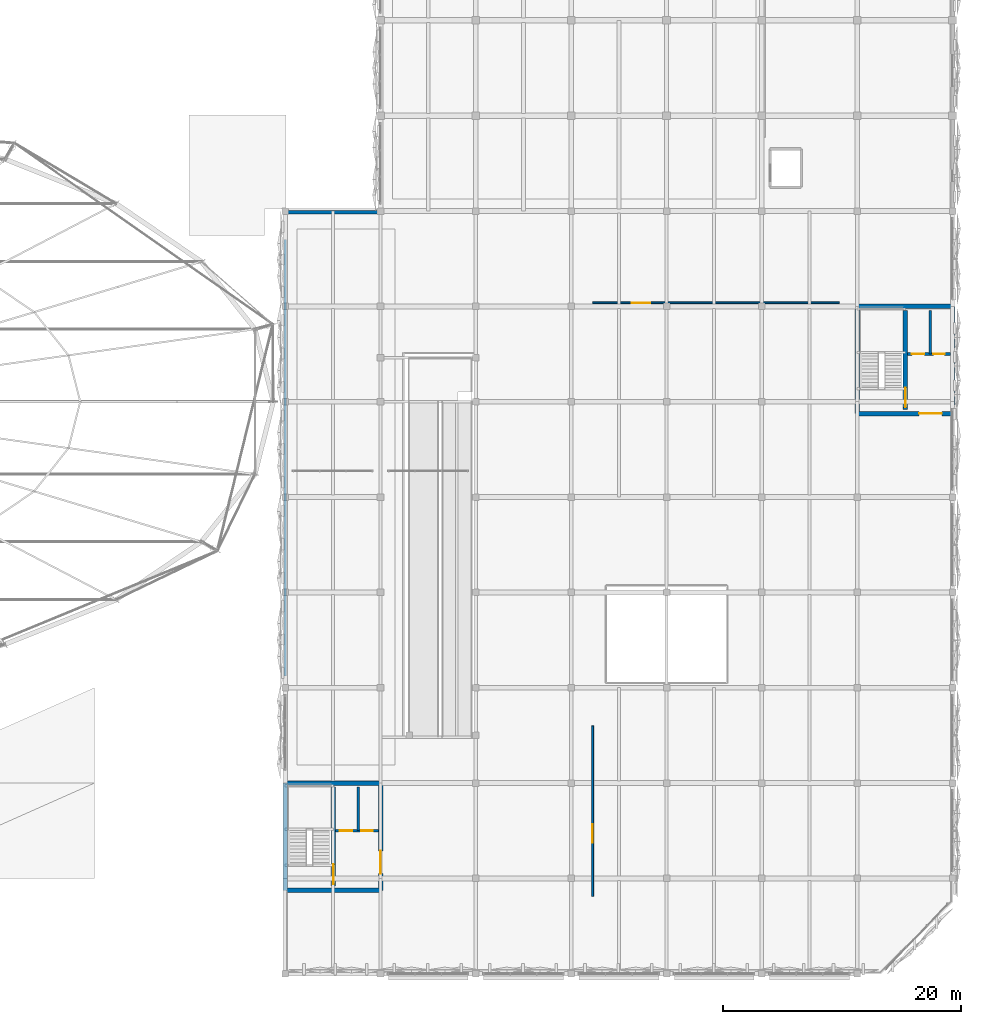
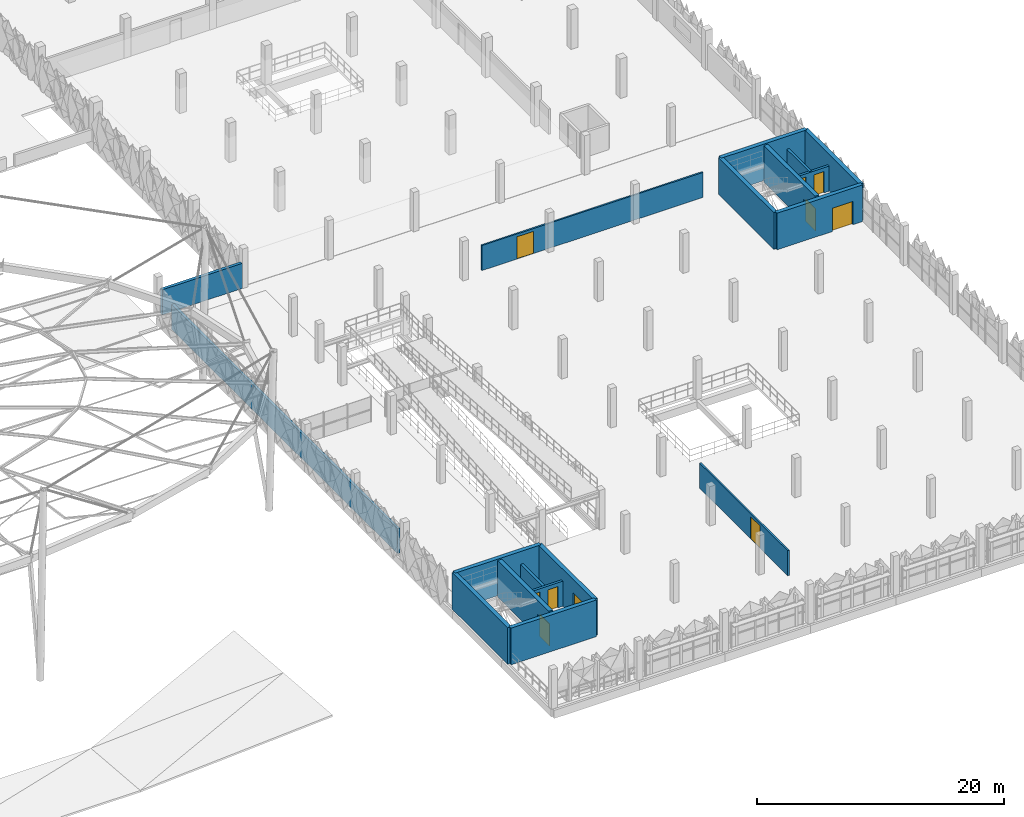
# One storey, part 52 of 96: 18 walls, 10 doors, 10 openings.
"""IFC4 building model written with IfcOpenShell, lengths in metres."""

from ifc_helpers import new_model, si_unit, derived_unit, direction, frame, frame_2d, origin, place, context, subcontext, project, spatial, rectangle, extrude, material, layer, layer_set, type_object, element, fill, save


model = new_model("IFC4")

# Units and contexts
model_context = context("Model", 3, precision=1e-05, world=origin(), true_north=direction((0.0, 1.0)))
body_context = subcontext(model_context, "Body", "Model", "MODEL_VIEW")
ifc_project = project(units=[si_unit("LENGTHUNIT", "METRE"), si_unit("AREAUNIT", "SQUARE_METRE"), si_unit("VOLUMEUNIT", "CUBIC_METRE"), si_unit("PLANEANGLEUNIT", "RADIAN"), si_unit("MASSUNIT", "GRAM", prefix="KILO"), si_unit("THERMODYNAMICTEMPERATUREUNIT", "KELVIN"), derived_unit("THERMALTRANSMITTANCEUNIT", [(si_unit("POWERUNIT", "WATT"), 1), (si_unit("AREAUNIT", "SQUARE_METRE"), -1), (si_unit("THERMODYNAMICTEMPERATUREUNIT", "KELVIN"), -1)])], contexts=[model_context])

# Site, building, storey
site_placement = place(None, origin())
site = spatial("IfcSite", under=ifc_project, at=site_placement, CompositionType="ELEMENT")
building_placement = place(site_placement, origin())
building = spatial("IfcBuilding", under=site, at=building_placement, Name="Haiyu Intermodal Mobility Hub", CompositionType="ELEMENT")
storey_placement = place(building_placement, frame((0.0, 0.0, 9.5)))
storey = spatial("IfcBuildingStorey", under=building, at=storey_placement, Name="L02", CompositionType="ELEMENT", Elevation=9.5)

# Walls
ifc_material_1 = material(Name="Anodised aluminium 6063-T6", Category="aluminium")
ifc_layer_1 = layer(ifc_material_1, 0.280029296875)
ifc_layer_set_1 = layer_set([ifc_layer_1], Name="Anodised aluminium 6063-T6")
wall_type_1 = type_object("IfcWallType", Name="WAL-WE02", PredefinedType="STANDARD", material=ifc_layer_set_1)
wall_1_placement = place(storey_placement, frame((161.7451171875, 79.89990234375, 0.0), z_axis=(0.0, 0.0, 1.0), x_axis=(-1.0, 0.0, 0.0)))
element("IfcWall", 1, at=wall_1_placement, inside=storey, type_object=wall_type_1, Name="WAL-V5NC-L02-155", PredefinedType="STANDARD", context=body_context, shape_type="SweptSolid", body=[
    extrude(rectangle(XDim=7.490234375, YDim=0.280029296875, at=frame_2d((3.7451171875, 0.0))), origin(), (0.0, 0.0, 1.0), 2.47998046875),
])
ifc_material_2 = material(Name="Autoclaved aerated concrete block A5.0", Category="concrete")
ifc_layer_2 = layer(ifc_material_2, 0.22998046875)
ifc_layer_set_2 = layer_set([ifc_layer_2], Name="Autoclaved aerated concrete block A5.0")
wall_type_2 = type_object("IfcWallType", Name="WAL-WI01", PredefinedType="PARTITIONING", material=ifc_layer_set_2)
wall_2_placement = place(storey_placement, frame((160.1298828125, 28.0, 0.0), z_axis=(0.0, 0.0, 1.0), x_axis=(0.0, 1.0, 0.0)))
element("IfcWall", 2, at=wall_2_placement, inside=storey, type_object=wall_type_2, Name="WAL-CORE-C8-LSH-L02", PredefinedType="PARTITIONING", context=body_context, shape_type="SweptSolid", body=[
    extrude(rectangle(XDim=3.64990234375, YDim=0.22998046875, at=frame_2d((1.824951171875, 0.0))), origin(), (0.0, 0.0, 1.0), 2.47998046875),
])

# Wall, openings, doors
wall_3_placement = place(storey_placement, frame((158.2099609375, 28.0, 0.0), z_axis=(0.0, 0.0, 1.0), x_axis=(1.0, 0.0, 0.0)))
wall_3 = element("IfcWall", 3, at=wall_3_placement, inside=storey, type_object=wall_type_2, Name="WAL-CORE-C8-LFT-L02", PredefinedType="PARTITIONING", context=body_context, shape_type="SweptSolid", body=[
    extrude(rectangle(XDim=3.630126953125, YDim=0.22998046875, at=frame_2d((1.81494140625, 0.0))), origin(), (0.0, 0.0, 1.0), 2.47998046875),
])
opening_1_placement = place(wall_3_placement, frame((0.3798828125, 0.0, 0.0)))
opening_1 = element("IfcOpeningElement", 4, at=opening_1_placement, cuts=wall_3, Name="Opening LD02", PredefinedType="OPENING", context=body_context, shape_type="SweptSolid", body=[
    extrude(rectangle(XDim=1.050048828125, YDim=2.14990234375, at=frame_2d((0.52490234375, 1.074951171875))), frame((0.0, 0.125, 0.0), z_axis=(0.0, -1.0, 0.0), x_axis=(1.0, 0.0, 0.0)), (0.0, 0.0, 1.0), 0.25),
])
opening_2_placement = place(wall_3_placement, frame((2.179931640625, 0.0, 0.0)))
opening_2 = element("IfcOpeningElement", 5, at=opening_2_placement, cuts=wall_3, Name="Opening DI07", PredefinedType="OPENING", context=body_context, shape_type="SweptSolid", body=[
    extrude(rectangle(XDim=0.949951171875, YDim=2.10009765625, at=frame_2d((0.47509765625, 1.050048828125))), frame((0.0, 0.125, 0.0), z_axis=(0.0, -1.0, 0.0), x_axis=(1.0, 0.0, 0.0)), (0.0, 0.0, 1.0), 0.25),
])
ifc_material_3 = material(Name="Steel Q355C", Category="steel")
door_type_1 = type_object("IfcDoorType", Name="DR-DI07", OperationType="NOTDEFINED", PredefinedType="DOOR", material=ifc_material_3)
door_1_placement = place(opening_2_placement, origin())
door_1 = element("IfcDoor", 6, at=door_1_placement, inside=storey, type_object=door_type_1, Name="Core C8 Accessible WC Door L02", OperationType="SINGLE_SWING_RIGHT", OverallHeight=2.10009765625, OverallWidth=0.949951171875, PredefinedType="DOOR", context=body_context, shape_type="SweptSolid", body=[
    extrude(rectangle(XDim=0.949951171875, YDim=2.10009765625, at=frame_2d((0.47509765625, 1.050048828125))), frame((0.0, 0.02490234375, 0.0), z_axis=(0.0, -1.0, 0.0), x_axis=(1.0, 0.0, 0.0)), (0.0, 0.0, 1.0), 0.050048828125),
])
fill(opening_2, door_1)
door_type_2 = type_object("IfcDoorType", Name="DR-LD02", OperationType="DOUBLE_DOOR_SLIDING", PredefinedType="DOOR", material=ifc_material_3)
door_2_placement = place(opening_1_placement, origin())
door_2 = element("IfcDoor", 7, at=door_2_placement, inside=storey, type_object=door_type_2, Name="Lift PL-03 Sliding Landing Door L02", OperationType="SLIDING_TO_LEFT", OverallHeight=2.14990234375, OverallWidth=1.050048828125, PredefinedType="DOOR", context=body_context, shape_type="SweptSolid", body=[
    extrude(rectangle(XDim=1.050048828125, YDim=2.14990234375, at=frame_2d((0.52490234375, 1.074951171875))), frame((0.0, 0.02490234375, 0.0), z_axis=(0.0, -1.0, 0.0), x_axis=(1.0, 0.0, 0.0)), (0.0, 0.0, 1.0), 0.050048828125),
])
fill(opening_1, door_2)

# Wall
wall_4_placement = place(storey_placement, frame((208.1298828125, 68.0, 0.0), z_axis=(0.0, 0.0, 1.0), x_axis=(0.0, 1.0, 0.0)))
element("IfcWall", 8, at=wall_4_placement, inside=storey, type_object=wall_type_2, Name="WAL-CORE-C9-LSH-L02", PredefinedType="PARTITIONING", context=body_context, shape_type="SweptSolid", body=[
    extrude(rectangle(XDim=3.64990234375, YDim=0.22998046875, at=frame_2d((1.824951171875, 0.0))), origin(), (0.0, 0.0, 1.0), 2.47998046875),
])

# Wall, openings, doors
wall_5_placement = place(storey_placement, frame((206.2099609375, 68.0, 0.0), z_axis=(0.0, 0.0, 1.0), x_axis=(1.0, 0.0, 0.0)))
wall_5 = element("IfcWall", 9, at=wall_5_placement, inside=storey, type_object=wall_type_2, Name="WAL-CORE-C9-LFT-L02", PredefinedType="PARTITIONING", context=body_context, shape_type="SweptSolid", body=[
    extrude(rectangle(XDim=3.630126953125, YDim=0.22998046875, at=frame_2d((1.81494140625, 0.0))), origin(), (0.0, 0.0, 1.0), 2.47998046875),
])
opening_3_placement = place(wall_5_placement, frame((0.3798828125, 0.0, 0.0)))
opening_3 = element("IfcOpeningElement", 10, at=opening_3_placement, cuts=wall_5, Name="Opening LD02", PredefinedType="OPENING", context=body_context, shape_type="SweptSolid", body=[
    extrude(rectangle(XDim=1.050048828125, YDim=2.14990234375, at=frame_2d((0.52490234375, 1.074951171875))), frame((0.0, 0.125, 0.0), z_axis=(0.0, -1.0, 0.0), x_axis=(1.0, 0.0, 0.0)), (0.0, 0.0, 1.0), 0.25),
])
opening_4_placement = place(wall_5_placement, frame((2.179931640625, 0.0, 0.0)))
opening_4 = element("IfcOpeningElement", 11, at=opening_4_placement, cuts=wall_5, Name="Opening DI07", PredefinedType="OPENING", context=body_context, shape_type="SweptSolid", body=[
    extrude(rectangle(XDim=0.949951171875, YDim=2.10009765625, at=frame_2d((0.47509765625, 1.050048828125))), frame((0.0, 0.125, 0.0), z_axis=(0.0, -1.0, 0.0), x_axis=(1.0, 0.0, 0.0)), (0.0, 0.0, 1.0), 0.25),
])
door_3_placement = place(opening_4_placement, origin())
door_3 = element("IfcDoor", 12, at=door_3_placement, inside=storey, type_object=door_type_1, Name="Core C9 Accessible WC Door L02", OperationType="SINGLE_SWING_RIGHT", OverallHeight=2.10009765625, OverallWidth=0.949951171875, PredefinedType="DOOR", context=body_context, shape_type="SweptSolid", body=[
    extrude(rectangle(XDim=0.949951171875, YDim=2.10009765625, at=frame_2d((0.47509765625, 1.050048828125))), frame((0.0, 0.02490234375, 0.0), z_axis=(0.0, -1.0, 0.0), x_axis=(1.0, 0.0, 0.0)), (0.0, 0.0, 1.0), 0.050048828125),
])
fill(opening_4, door_3)
door_4_placement = place(opening_3_placement, origin())
door_4 = element("IfcDoor", 13, at=door_4_placement, inside=storey, type_object=door_type_2, Name="Lift PL-04 Sliding Landing Door L02", OperationType="SLIDING_TO_LEFT", OverallHeight=2.14990234375, OverallWidth=1.050048828125, PredefinedType="DOOR", context=body_context, shape_type="SweptSolid", body=[
    extrude(rectangle(XDim=1.050048828125, YDim=2.14990234375, at=frame_2d((0.52490234375, 1.074951171875))), frame((0.0, 0.02490234375, 0.0), z_axis=(0.0, -1.0, 0.0), x_axis=(1.0, 0.0, 0.0)), (0.0, 0.0, 1.0), 0.050048828125),
])
fill(opening_3, door_4)

# Wall
wall_6_placement = place(storey_placement, frame((154.0, 41.0, 0.0), z_axis=(0.0, 0.0, 1.0), x_axis=(0.0, 1.0, 0.0)))
element("IfcWall", 14, at=wall_6_placement, inside=storey, type_object=wall_type_2, Name="WAL-INT-0011", PredefinedType="PARTITIONING", context=body_context, shape_type="SweptSolid", body=[
    extrude(rectangle(XDim=36.60009765625, YDim=0.22998046875, at=frame_2d((18.300048828125, 0.0))), origin(), (0.0, 0.0, 1.0), 2.47998046875),
])

# Wall, opening, door
ifc_material_4 = material(Name="Fire-rated gypsum and rockwool partition", Category="gypsum")
ifc_layer_3 = layer(ifc_material_4, 0.14990234375)
ifc_layer_set_3 = layer_set([ifc_layer_3], Name="Fire-rated gypsum and rockwool partition")
wall_type_3 = type_object("IfcWallType", Name="WAL-WI04", PredefinedType="PARTITIONING", material=ifc_layer_set_3)
wall_7_placement = place(storey_placement, frame((179.800048828125, 22.5, 0.0), z_axis=(0.0, 0.0, 1.0), x_axis=(0.0, 1.0, 0.0)))
wall_7 = element("IfcWall", 15, at=wall_7_placement, inside=storey, type_object=wall_type_3, Name="WAL-INT-0032", PredefinedType="PARTITIONING", context=body_context, shape_type="SweptSolid", body=[
    extrude(rectangle(XDim=14.300048828125, YDim=0.14990234375, at=frame_2d((7.14990234375, 0.0))), origin(), (0.0, 0.0, 1.0), 2.47998046875),
])
opening_5_placement = place(wall_7_placement, frame((4.5, 0.0, 0.0)))
opening_5 = element("IfcOpeningElement", 16, at=opening_5_placement, cuts=wall_7, Name="Opening DI04", PredefinedType="OPENING", context=body_context, shape_type="SweptSolid", body=[
    extrude(rectangle(XDim=1.550048828125, YDim=2.199951171875, at=frame_2d((0.77490234375, 1.10009765625))), frame((0.0, 0.0849609375, 0.0), z_axis=(0.0, -1.0, 0.0), x_axis=(1.0, 0.0, 0.0)), (0.0, 0.0, 1.0), 0.169921875),
])
door_type_3 = type_object("IfcDoorType", Name="DR-DI04", OperationType="DOUBLE_DOOR_SINGLE_SWING", PredefinedType="DOOR", material=ifc_material_3)
door_5_placement = place(opening_5_placement, origin())
door_5 = element("IfcDoor", 17, at=door_5_placement, inside=storey, type_object=door_type_3, Name="Frame Tuning Workshop Door", OperationType="DOUBLE_SWING_LEFT", OverallHeight=2.199951171875, OverallWidth=1.550048828125, PredefinedType="DOOR", context=body_context, shape_type="SweptSolid", body=[
    extrude(rectangle(XDim=1.550048828125, YDim=2.199951171875, at=frame_2d((0.77490234375, 1.10009765625))), frame((0.0, 0.02490234375, 0.0), z_axis=(0.0, -1.0, 0.0), x_axis=(1.0, 0.0, 0.0)), (0.0, 0.0, 1.0), 0.050048828125),
])
fill(opening_5, door_5)

wall_8_placement = place(storey_placement, frame((179.800048828125, 72.300048828125, 0.0), z_axis=(0.0, 0.0, 1.0), x_axis=(1.0, 0.0, 0.0)))
wall_8 = element("IfcWall", 18, at=wall_8_placement, inside=storey, type_object=wall_type_3, Name="WAL-INT-0033", PredefinedType="PARTITIONING", context=body_context, shape_type="SweptSolid", body=[
    extrude(rectangle(XDim=20.699951171875, YDim=0.14990234375, at=frame_2d((10.35009765625, 0.0))), origin(), (0.0, 0.0, 1.0), 2.47998046875),
])
opening_6_placement = place(wall_8_placement, frame((3.300048828125, 0.0, 0.0)))
opening_6 = element("IfcOpeningElement", 19, at=opening_6_placement, cuts=wall_8, Name="Opening DI04", PredefinedType="OPENING", context=body_context, shape_type="SweptSolid", body=[
    extrude(rectangle(XDim=1.550048828125, YDim=2.199951171875, at=frame_2d((0.77490234375, 1.10009765625))), frame((0.0, 0.0849609375, 0.0), z_axis=(0.0, -1.0, 0.0), x_axis=(1.0, 0.0, 0.0)), (0.0, 0.0, 1.0), 0.169921875),
])
door_6_placement = place(opening_6_placement, origin())
door_6 = element("IfcDoor", 20, at=door_6_placement, inside=storey, type_object=door_type_3, Name="Upper Bicycle Store Door", OperationType="DOUBLE_SWING_RIGHT", OverallHeight=2.199951171875, OverallWidth=1.550048828125, PredefinedType="DOOR", context=body_context, shape_type="SweptSolid", body=[
    extrude(rectangle(XDim=1.550048828125, YDim=2.199951171875, at=frame_2d((0.77490234375, 1.10009765625))), frame((0.0, 0.02490234375, 0.0), z_axis=(0.0, -1.0, 0.0), x_axis=(1.0, 0.0, 0.0)), (0.0, 0.0, 1.0), 0.050048828125),
])
fill(opening_6, door_6)

# Wall
ifc_material_5 = material(Name="Concrete C40", Category="concrete")
ifc_layer_4 = layer(ifc_material_5, 0.3798828125)
ifc_layer_set_4 = layer_set([ifc_layer_4], Name="Concrete C40")
wall_type_4 = type_object("IfcWallType", Name="WAL-WS03", PredefinedType="SHEAR", material=ifc_layer_set_4)
wall_9_placement = place(storey_placement, frame((154.0, 23.0, 0.0), z_axis=(0.0, 0.0, 1.0), x_axis=(1.0, 0.0, 0.0)))
element("IfcWall", 21, at=wall_9_placement, inside=storey, type_object=wall_type_4, Name="WAL-CORE-C8-S-L02", PredefinedType="SHEAR", context=body_context, shape_type="SweptSolid", body=[
    extrude(rectangle(XDim=8.0, YDim=0.3798828125, at=frame_2d((4.0, 0.0))), origin(), (0.0, 0.0, 1.0), 3.6201171875),
])

# Wall, opening, door
wall_10_placement = place(storey_placement, frame((162.0, 23.0, 0.0), z_axis=(0.0, 0.0, 1.0), x_axis=(0.0, 1.0, 0.0)))
wall_10 = element("IfcWall", 22, at=wall_10_placement, inside=storey, type_object=wall_type_4, Name="WAL-CORE-C8-E-L02", PredefinedType="SHEAR", context=body_context, shape_type="SweptSolid", body=[
    extrude(rectangle(XDim=9.0, YDim=0.3798828125, at=frame_2d((4.5, 0.0))), origin(), (0.0, 0.0, 1.0), 3.6201171875),
])
opening_7_placement = place(wall_10_placement, frame((1.39990234375, 0.0, 0.0)))
opening_7 = element("IfcOpeningElement", 23, at=opening_7_placement, cuts=wall_10, Name="Opening DI01", PredefinedType="OPENING", context=body_context, shape_type="SweptSolid", body=[
    extrude(rectangle(XDim=1.89990234375, YDim=2.300048828125, at=frame_2d((0.949951171875, 1.14990234375))), frame((0.0, 0.199951171875, 0.0), z_axis=(0.0, -1.0, 0.0), x_axis=(1.0, 0.0, 0.0)), (0.0, 0.0, 1.0), 0.39990234375),
])
door_type_4 = type_object("IfcDoorType", Name="DR-DI01", OperationType="DOUBLE_DOOR_SINGLE_SWING", PredefinedType="DOOR", material=ifc_material_3)
door_7_placement = place(opening_7_placement, origin())
door_7 = element("IfcDoor", 24, at=door_7_placement, inside=storey, type_object=door_type_4, Name="Core C8 Lobby Fire Door L02", OperationType="SINGLE_SWING_RIGHT", OverallHeight=2.300048828125, OverallWidth=1.89990234375, PredefinedType="DOOR", context=body_context, shape_type="SweptSolid", body=[
    extrude(rectangle(XDim=1.89990234375, YDim=2.300048828125, at=frame_2d((0.949951171875, 1.14990234375))), frame((0.0, 0.02490234375, 0.0), z_axis=(0.0, -1.0, 0.0), x_axis=(1.0, 0.0, 0.0)), (0.0, 0.0, 1.0), 0.050048828125),
])
fill(opening_7, door_7)

# Walls
wall_11_placement = place(storey_placement, frame((162.0, 32.0, 0.0), z_axis=(0.0, 0.0, 1.0), x_axis=(-1.0, 0.0, 0.0)))
element("IfcWall", 25, at=wall_11_placement, inside=storey, type_object=wall_type_4, Name="WAL-CORE-C8-N-L02", PredefinedType="SHEAR", context=body_context, shape_type="SweptSolid", body=[
    extrude(rectangle(XDim=8.0, YDim=0.3798828125, at=frame_2d((4.0, 0.0))), origin(), (0.0, 0.0, 1.0), 3.6201171875),
])
wall_12_placement = place(storey_placement, frame((154.0, 32.0, 0.0), z_axis=(0.0, 0.0, 1.0), x_axis=(0.0, -1.0, 0.0)))
element("IfcWall", 26, at=wall_12_placement, inside=storey, type_object=wall_type_4, Name="WAL-CORE-C8-W-L02", PredefinedType="SHEAR", context=body_context, shape_type="SweptSolid", body=[
    extrude(rectangle(XDim=9.0, YDim=0.3798828125, at=frame_2d((4.5, 0.0))), origin(), (0.0, 0.0, 1.0), 3.6201171875),
])

# Wall, opening, door
wall_13_placement = place(storey_placement, frame((158.050048828125, 23.35009765625, 0.0), z_axis=(0.0, 0.0, 1.0), x_axis=(0.0, 1.0, 0.0)))
wall_13 = element("IfcWall", 27, at=wall_13_placement, inside=storey, type_object=wall_type_4, Name="WAL-CORE-C8-MID-L02", PredefinedType="SHEAR", context=body_context, shape_type="SweptSolid", body=[
    extrude(rectangle(XDim=8.2998046875, YDim=0.3798828125, at=frame_2d((4.14990234375, 0.0))), origin(), (0.0, 0.0, 1.0), 3.6201171875),
])
opening_8_placement = place(wall_13_placement, frame((0.179931640625, 0.0, 0.0)))
opening_8 = element("IfcOpeningElement", 28, at=opening_8_placement, cuts=wall_13, Name="Opening DI02", PredefinedType="OPENING", context=body_context, shape_type="SweptSolid", body=[
    extrude(rectangle(XDim=1.64990234375, YDim=2.199951171875, at=frame_2d((0.824951171875, 1.10009765625))), frame((0.0, 0.199951171875, 0.0), z_axis=(0.0, -1.0, 0.0), x_axis=(1.0, 0.0, 0.0)), (0.0, 0.0, 1.0), 0.39990234375),
])
door_type_5 = type_object("IfcDoorType", Name="DR-DI02", OperationType="DOUBLE_DOOR_SINGLE_SWING", PredefinedType="DOOR", material=ifc_material_3)
door_8_placement = place(opening_8_placement, origin())
door_8 = element("IfcDoor", 29, at=door_8_placement, inside=storey, type_object=door_type_5, Name="Stair ST02 Fire Door L02", OperationType="SINGLE_SWING_RIGHT", OverallHeight=2.199951171875, OverallWidth=1.64990234375, PredefinedType="DOOR", context=body_context, shape_type="SweptSolid", body=[
    extrude(rectangle(XDim=1.64990234375, YDim=2.199951171875, at=frame_2d((0.824951171875, 1.10009765625))), frame((0.0, 0.02490234375, 0.0), z_axis=(0.0, -1.0, 0.0), x_axis=(1.0, 0.0, 0.0)), (0.0, 0.0, 1.0), 0.050048828125),
])
fill(opening_8, door_8)

wall_14_placement = place(storey_placement, frame((202.0, 63.0, 0.0), z_axis=(0.0, 0.0, 1.0), x_axis=(1.0, 0.0, 0.0)))
wall_14 = element("IfcWall", 30, at=wall_14_placement, inside=storey, type_object=wall_type_4, Name="WAL-CORE-C9-S-L02", PredefinedType="SHEAR", context=body_context, shape_type="SweptSolid", body=[
    extrude(rectangle(XDim=8.0, YDim=0.3798828125, at=frame_2d((4.0, 0.0))), origin(), (0.0, 0.0, 1.0), 3.6201171875),
])
opening_9_placement = place(wall_14_placement, frame((5.199951171875, 0.0, 0.0)))
opening_9 = element("IfcOpeningElement", 31, at=opening_9_placement, cuts=wall_14, Name="Opening DI01", PredefinedType="OPENING", context=body_context, shape_type="SweptSolid", body=[
    extrude(rectangle(XDim=1.89990234375, YDim=2.300048828125, at=frame_2d((0.949951171875, 1.14990234375))), frame((0.0, 0.199951171875, 0.0), z_axis=(0.0, -1.0, 0.0), x_axis=(1.0, 0.0, 0.0)), (0.0, 0.0, 1.0), 0.39990234375),
])
door_9_placement = place(opening_9_placement, origin())
door_9 = element("IfcDoor", 32, at=door_9_placement, inside=storey, type_object=door_type_4, Name="Core C9 Lobby Fire Door L02", OperationType="SINGLE_SWING_LEFT", OverallHeight=2.300048828125, OverallWidth=1.89990234375, PredefinedType="DOOR", context=body_context, shape_type="SweptSolid", body=[
    extrude(rectangle(XDim=1.89990234375, YDim=2.300048828125, at=frame_2d((0.949951171875, 1.14990234375))), frame((0.0, 0.02490234375, 0.0), z_axis=(0.0, -1.0, 0.0), x_axis=(1.0, 0.0, 0.0)), (0.0, 0.0, 1.0), 0.050048828125),
])
fill(opening_9, door_9)

# Walls
wall_15_placement = place(storey_placement, frame((210.0, 63.0, 0.0), z_axis=(0.0, 0.0, 1.0), x_axis=(0.0, 1.0, 0.0)))
element("IfcWall", 33, at=wall_15_placement, inside=storey, type_object=wall_type_4, Name="WAL-CORE-C9-E-L02", PredefinedType="SHEAR", context=body_context, shape_type="SweptSolid", body=[
    extrude(rectangle(XDim=9.0, YDim=0.3798828125, at=frame_2d((4.5, 0.0))), origin(), (0.0, 0.0, 1.0), 3.6201171875),
])
wall_16_placement = place(storey_placement, frame((210.0, 72.0, 0.0), z_axis=(0.0, 0.0, 1.0), x_axis=(-1.0, 0.0, 0.0)))
element("IfcWall", 34, at=wall_16_placement, inside=storey, type_object=wall_type_4, Name="WAL-CORE-C9-N-L02", PredefinedType="SHEAR", context=body_context, shape_type="SweptSolid", body=[
    extrude(rectangle(XDim=8.0, YDim=0.3798828125, at=frame_2d((4.0, 0.0))), origin(), (0.0, 0.0, 1.0), 3.6201171875),
])
wall_17_placement = place(storey_placement, frame((202.0, 72.0, 0.0), z_axis=(0.0, 0.0, 1.0), x_axis=(0.0, -1.0, 0.0)))
element("IfcWall", 35, at=wall_17_placement, inside=storey, type_object=wall_type_4, Name="WAL-CORE-C9-W-L02", PredefinedType="SHEAR", context=body_context, shape_type="SweptSolid", body=[
    extrude(rectangle(XDim=9.0, YDim=0.3798828125, at=frame_2d((4.5, 0.0))), origin(), (0.0, 0.0, 1.0), 3.6201171875),
])

# Wall, opening, door
wall_18_placement = place(storey_placement, frame((206.050048828125, 63.35009765625, 0.0), z_axis=(0.0, 0.0, 1.0), x_axis=(0.0, 1.0, 0.0)))
wall_18 = element("IfcWall", 36, at=wall_18_placement, inside=storey, type_object=wall_type_4, Name="WAL-CORE-C9-MID-L02", PredefinedType="SHEAR", context=body_context, shape_type="SweptSolid", body=[
    extrude(rectangle(XDim=8.2998046875, YDim=0.3798828125, at=frame_2d((4.14990234375, 0.0))), origin(), (0.0, 0.0, 1.0), 3.6201171875),
])
opening_10_placement = place(wall_18_placement, frame((0.179931640625, 0.0, 0.0)))
opening_10 = element("IfcOpeningElement", 37, at=opening_10_placement, cuts=wall_18, Name="Opening DI02", PredefinedType="OPENING", context=body_context, shape_type="SweptSolid", body=[
    extrude(rectangle(XDim=1.64990234375, YDim=2.199951171875, at=frame_2d((0.824951171875, 1.10009765625))), frame((0.0, 0.199951171875, 0.0), z_axis=(0.0, -1.0, 0.0), x_axis=(1.0, 0.0, 0.0)), (0.0, 0.0, 1.0), 0.39990234375),
])
door_10_placement = place(opening_10_placement, origin())
door_10 = element("IfcDoor", 38, at=door_10_placement, inside=storey, type_object=door_type_5, Name="Stair ST03 Fire Door L02", OperationType="SINGLE_SWING_LEFT", OverallHeight=2.199951171875, OverallWidth=1.64990234375, PredefinedType="DOOR", context=body_context, shape_type="SweptSolid", body=[
    extrude(rectangle(XDim=1.64990234375, YDim=2.199951171875, at=frame_2d((0.824951171875, 1.10009765625))), frame((0.0, 0.02490234375, 0.0), z_axis=(0.0, -1.0, 0.0), x_axis=(1.0, 0.0, 0.0)), (0.0, 0.0, 1.0), 0.050048828125),
])
fill(opening_10, door_10)

save(model, "model.ifc")
